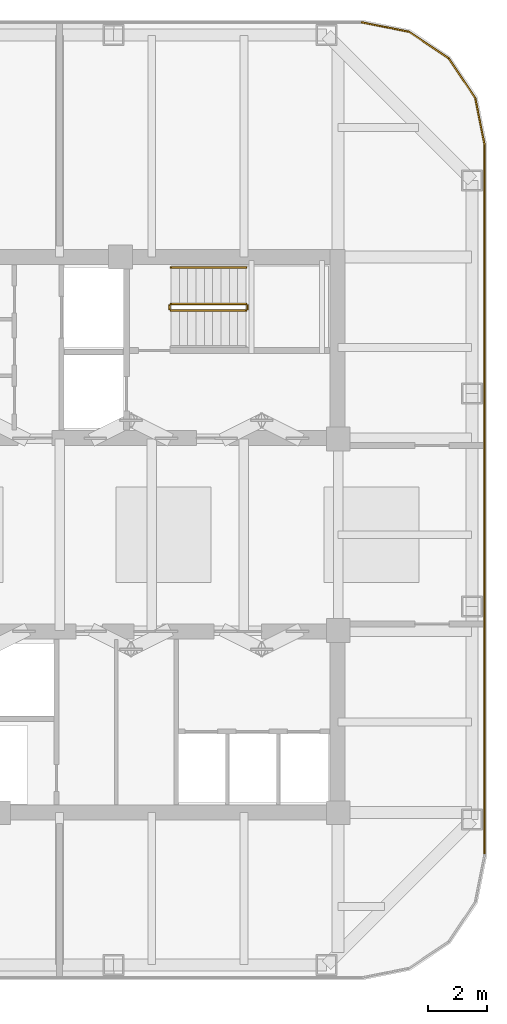
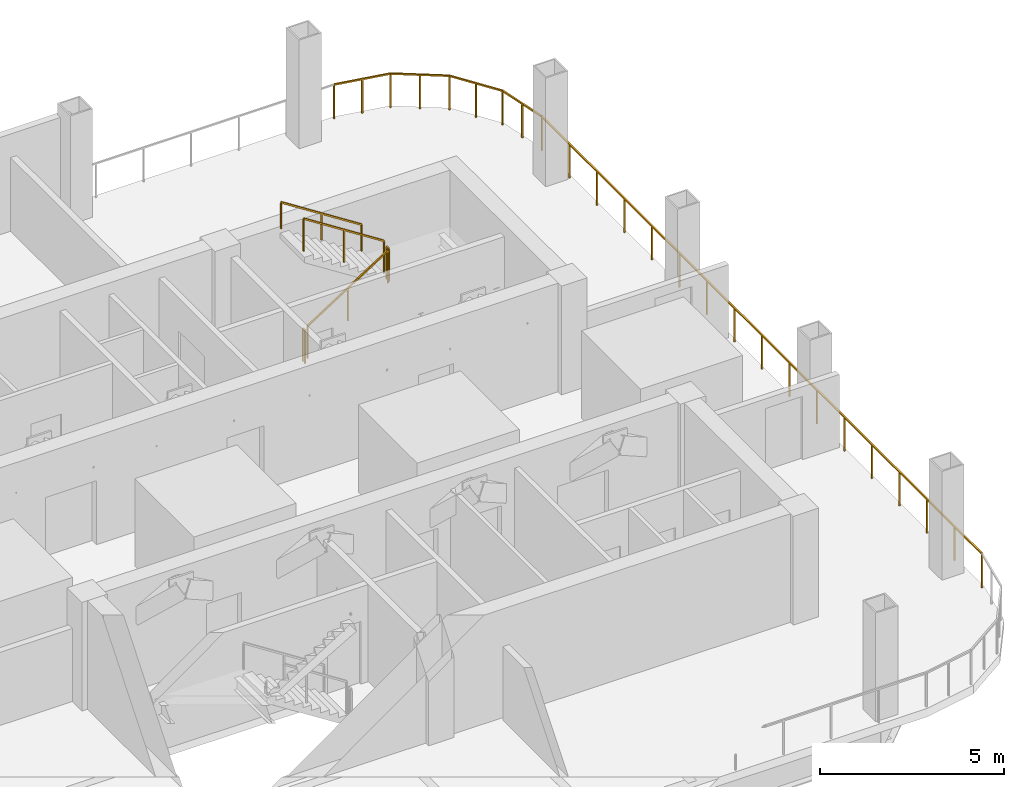
# One storey, part 7 of 9: 10 railings.
"""IFC4 building model written with IfcOpenShell, lengths in metres."""

from ifc_helpers import new_model, si_unit, direction, frame, origin, origin_2d, place, context, subcontext, project, spatial, rectangle, extrude, material, type_object, element, save


model = new_model("IFC4")

# Units and contexts
model_context = context("Model", 3, precision=1e-05, world=origin(), true_north=direction((0.0, 1.0)))
body_context = subcontext(model_context, "Body", "Model", "MODEL_VIEW")
ifc_project = project(units=[si_unit("LENGTHUNIT", "METRE"), si_unit("AREAUNIT", "SQUARE_METRE"), si_unit("VOLUMEUNIT", "CUBIC_METRE"), si_unit("PLANEANGLEUNIT", "RADIAN"), si_unit("MASSUNIT", "GRAM", prefix="KILO")], contexts=[model_context])

# Site, building, storey
site_placement = place(None, origin())
site = spatial("IfcSite", under=ifc_project, at=site_placement, CompositionType="ELEMENT")
building_placement = place(site_placement, origin())
building = spatial("IfcBuilding", under=site, at=building_placement, Name="Qhalaya Broadcast Tower", CompositionType="ELEMENT")
storey_placement = place(building_placement, frame((0.0, 0.0, 191.550048828125)))
storey = spatial("IfcBuildingStorey", under=building, at=storey_placement, Name="L56", CompositionType="ELEMENT", Elevation=191.550048828125)

# Railings
ifc_material = material(Name="Powder-Coated Galvanised Steel", Category="steel")
railing_type_1 = type_object("IfcRailingType", Name="Stair Wall Handrail 900", PredefinedType="HANDRAIL", material=ifc_material)
railing_1_placement = place(storey_placement, frame((6.27001953125, 9.590087890625, 1.97998046875)))
element("IfcRailing", 1, at=railing_1_placement, inside=storey, type_object=railing_type_1, Name="L56 ST-1 Stair Handrail 2", PredefinedType="HANDRAIL", context=body_context, shape_type="SweptSolid", body=[
    extrude(rectangle(XDim=0.048095703125, YDim=0.048095703125, at=origin_2d()), frame((0.0, 0.0, 0.8759765625), z_axis=(-0.841199657755, 0.0, 0.540724639528), x_axis=(0.0, -1.0, 0.0)), (0.0, 0.0, 1.0), 2.995849609375),
    extrude(rectangle(XDim=0.0419921875, YDim=0.0419921875, at=origin_2d()), origin(), (0.0, 0.0, 1.0), 0.849853515625),
    extrude(rectangle(XDim=0.0419921875, YDim=0.0419921875, at=origin_2d()), frame((-1.260009765625, 0.0, 0.81005859375)), (0.0, 0.0, 1.0), 0.849853515625),
    extrude(rectangle(XDim=0.0419921875, YDim=0.0419921875, at=origin_2d()), frame((-2.52001953125, 0.0, 1.619873046875)), (0.0, 0.0, 1.0), 0.849853515625),
])
railing_type_2 = type_object("IfcRailingType", Name="Stair Well & Landing Guardrail 1100", PredefinedType="GUARDRAIL", material=ifc_material)
railing_2_placement = place(storey_placement, frame((3.75, 8.14990234375, 0.179931640625)))
element("IfcRailing", 2, at=railing_2_placement, inside=storey, type_object=railing_type_2, Name="L56 ST-1 Stair Guard 1", PredefinedType="GUARDRAIL", context=body_context, shape_type="SweptSolid", body=[
    extrude(rectangle(XDim=0.048095703125, YDim=0.048095703125, at=origin_2d()), frame((0.0, 0.0, 1.076171875), z_axis=(0.841162588446, 0.0, 0.540782303519), x_axis=(0.0, 1.0, 0.0)), (0.0, 0.0, 1.0), 2.995849609375),
    extrude(rectangle(XDim=0.0419921875, YDim=0.0419921875, at=origin_2d()), origin(), (0.0, 0.0, 1.0), 1.050048828125),
    extrude(rectangle(XDim=0.0419921875, YDim=0.0419921875, at=origin_2d()), frame((1.260009765625, 0.0, 0.81005859375)), (0.0, 0.0, 1.0), 1.050048828125),
    extrude(rectangle(XDim=0.0419921875, YDim=0.0419921875, at=origin_2d()), frame((2.52001953125, 0.0, 1.6201171875)), (0.0, 0.0, 1.0), 1.050048828125),
])
railing_3_placement = place(storey_placement, frame((6.320068359375, 8.199951171875, 1.800048828125)))
element("IfcRailing", 3, at=railing_3_placement, inside=storey, type_object=railing_type_2, Name="L56 ST-1 Stair Guard 2", PredefinedType="GUARDRAIL", context=body_context, shape_type="SweptSolid", body=[
    extrude(rectangle(XDim=0.048095703125, YDim=0.048095703125, at=origin_2d()), frame((0.0, 0.0, 1.076171875), z_axis=(0.0, 1.0, 0.0), x_axis=(-1.0, 0.0, 0.0)), (0.0, 0.0, 1.0), 0.1201171875),
    extrude(rectangle(XDim=0.0419921875, YDim=0.0419921875, at=origin_2d()), origin(), (0.0, 0.0, 1.0), 1.050048828125),
    extrude(rectangle(XDim=0.0419921875, YDim=0.0419921875, at=origin_2d()), frame((0.0, 0.1201171875, 0.0)), (0.0, 0.0, 1.0), 1.050048828125),
])
railing_4_placement = place(storey_placement, frame((6.27001953125, 8.3701171875, 1.97998046875)))
element("IfcRailing", 4, at=railing_4_placement, inside=storey, type_object=railing_type_2, Name="L56 ST-1 Stair Guard 3", PredefinedType="GUARDRAIL", context=body_context, shape_type="SweptSolid", body=[
    extrude(rectangle(XDim=0.048095703125, YDim=0.048095703125, at=origin_2d()), frame((0.0, 0.0, 1.076171875), z_axis=(-0.841199657755, 0.0, 0.540724639528), x_axis=(0.0, -1.0, 0.0)), (0.0, 0.0, 1.0), 2.995849609375),
    extrude(rectangle(XDim=0.0419921875, YDim=0.0419921875, at=origin_2d()), origin(), (0.0, 0.0, 1.0), 1.050048828125),
    extrude(rectangle(XDim=0.0419921875, YDim=0.0419921875, at=origin_2d()), frame((-1.260009765625, 0.0, 0.81005859375)), (0.0, 0.0, 1.0), 1.050048828125),
    extrude(rectangle(XDim=0.0419921875, YDim=0.0419921875, at=origin_2d()), frame((-2.52001953125, 0.0, 1.619873046875)), (0.0, 0.0, 1.0), 1.050048828125),
])
railing_5_placement = place(storey_placement, frame((3.699951171875, 8.199951171875, 0.0)))
element("IfcRailing", 5, at=railing_5_placement, inside=storey, type_object=railing_type_2, Name="L56 ST-1 Stair Guard 4", PredefinedType="GUARDRAIL", context=body_context, shape_type="SweptSolid", body=[
    extrude(rectangle(XDim=0.048095703125, YDim=0.048095703125, at=origin_2d()), frame((0.0, 0.0, 1.076171875), z_axis=(0.0, 1.0, 0.0), x_axis=(-1.0, 0.0, 0.0)), (0.0, 0.0, 1.0), 0.1201171875),
    extrude(rectangle(XDim=0.0419921875, YDim=0.0419921875, at=origin_2d()), origin(), (0.0, 0.0, 1.0), 1.050048828125),
    extrude(rectangle(XDim=0.0419921875, YDim=0.0419921875, at=origin_2d()), frame((0.0, 0.1201171875, 0.0)), (0.0, 0.0, 1.0), 1.050048828125),
])
railing_type_3 = type_object("IfcRailingType", Name="Terrace, Sky-Pool & Lookout Glass Balustrade 1150", PredefinedType="BALUSTRADE", material=ifc_material)
railing_6_placement = place(storey_placement, frame((10.172119140625, 17.840087890625, 0.0)))
element("IfcRailing", 6, at=railing_6_placement, inside=storey, type_object=railing_type_3, Name="L56 Wind Slot Edge Guard 12", PredefinedType="BALUSTRADE", context=body_context, shape_type="SweptSolid", body=[
    extrude(rectangle(XDim=0.048095703125, YDim=0.048095703125, at=origin_2d()), frame((0.0, 0.0, 1.1259765625), z_axis=(0.980772072342, -0.195156711682, 0.0), x_axis=(0.195156711682, 0.980772072342, 0.0)), (0.0, 0.0, 1.0), 1.614990234375),
    extrude(rectangle(XDim=0.0419921875, YDim=0.0419921875, at=origin_2d()), origin(), (0.0, 0.0, 1.0), 1.099853515625),
    extrude(rectangle(XDim=0.0419921875, YDim=0.0419921875, at=origin_2d()), frame((0.7919921875, -0.15771484375, 0.0)), (0.0, 0.0, 1.0), 1.099853515625),
    extrude(rectangle(XDim=0.0419921875, YDim=0.0419921875, at=origin_2d()), frame((1.583984375, -0.315185546875, 0.0)), (0.0, 0.0, 1.0), 1.099853515625),
])
railing_7_placement = place(storey_placement, frame((11.756103515625, 17.52490234375, 0.0)))
element("IfcRailing", 7, at=railing_7_placement, inside=storey, type_object=railing_type_3, Name="L56 Wind Slot Edge Guard 13", PredefinedType="BALUSTRADE", context=body_context, shape_type="SweptSolid", body=[
    extrude(rectangle(XDim=0.048095703125, YDim=0.048095703125, at=origin_2d()), frame((0.0, 0.0, 1.1259765625), z_axis=(0.831418618142, -0.555646543594, 0.0), x_axis=(0.555646543594, 0.831418618142, 0.0)), (0.0, 0.0, 1.0), 1.60693359375),
    extrude(rectangle(XDim=0.0419921875, YDim=0.0419921875, at=origin_2d()), origin(), (0.0, 0.0, 1.0), 1.099853515625),
    extrude(rectangle(XDim=0.0419921875, YDim=0.0419921875, at=origin_2d()), frame((0.66796875, -0.4462890625, 0.0)), (0.0, 0.0, 1.0), 1.099853515625),
    extrude(rectangle(XDim=0.0419921875, YDim=0.0419921875, at=origin_2d()), frame((1.3359375, -0.892822265625, 0.0)), (0.0, 0.0, 1.0), 1.099853515625),
])
railing_8_placement = place(storey_placement, frame((13.092041015625, 16.632080078125, 0.0)))
element("IfcRailing", 8, at=railing_8_placement, inside=storey, type_object=railing_type_3, Name="L56 Wind Slot Edge Guard 14", PredefinedType="BALUSTRADE", context=body_context, shape_type="SweptSolid", body=[
    extrude(rectangle(XDim=0.048095703125, YDim=0.048095703125, at=origin_2d()), frame((0.0, 0.0, 1.1259765625), z_axis=(0.555646543594, -0.831418618142, 0.0), x_axis=(0.831418618142, 0.555646543594, 0.0)), (0.0, 0.0, 1.0), 1.60693359375),
    extrude(rectangle(XDim=0.0419921875, YDim=0.0419921875, at=origin_2d()), origin(), (0.0, 0.0, 1.0), 1.099853515625),
    extrude(rectangle(XDim=0.0419921875, YDim=0.0419921875, at=origin_2d()), frame((0.4462890625, -0.66796875, 0.0)), (0.0, 0.0, 1.0), 1.099853515625),
    extrude(rectangle(XDim=0.0419921875, YDim=0.0419921875, at=origin_2d()), frame((0.892822265625, -1.3359375, 0.0)), (0.0, 0.0, 1.0), 1.099853515625),
])
railing_9_placement = place(storey_placement, frame((13.98486328125, 15.296142578125, 0.0)))
element("IfcRailing", 9, at=railing_9_placement, inside=storey, type_object=railing_type_3, Name="L56 Wind Slot Edge Guard 15", PredefinedType="BALUSTRADE", context=body_context, shape_type="SweptSolid", body=[
    extrude(rectangle(XDim=0.048095703125, YDim=0.048095703125, at=origin_2d()), frame((0.0, 0.0, 1.1259765625), z_axis=(0.195156711682, -0.980772072342, 0.0), x_axis=(0.980772072342, 0.195156711682, 0.0)), (0.0, 0.0, 1.0), 1.614990234375),
    extrude(rectangle(XDim=0.0419921875, YDim=0.0419921875, at=origin_2d()), origin(), (0.0, 0.0, 1.0), 1.099853515625),
    extrude(rectangle(XDim=0.0419921875, YDim=0.0419921875, at=origin_2d()), frame((0.15771484375, -0.7919921875, 0.0)), (0.0, 0.0, 1.0), 1.099853515625),
    extrude(rectangle(XDim=0.0419921875, YDim=0.0419921875, at=origin_2d()), frame((0.315185546875, -1.583984375, 0.0)), (0.0, 0.0, 1.0), 1.099853515625),
])
railing_10_placement = place(storey_placement, frame((14.300048828125, 13.712158203125, 0.0)))
element("IfcRailing", 10, at=railing_10_placement, inside=storey, type_object=railing_type_3, Name="L56 Wind Slot Edge Guard 16", PredefinedType="BALUSTRADE", context=body_context, shape_type="SweptSolid", body=[
    extrude(rectangle(XDim=0.048095703125, YDim=0.048095703125, at=origin_2d()), frame((0.0, 0.0, 1.1259765625), z_axis=(0.0, -1.0, 0.0), x_axis=(1.0, 0.0, 0.0)), (0.0, 0.0, 1.0), 23.88427734375),
    extrude(rectangle(XDim=0.0419921875, YDim=0.0419921875, at=origin_2d()), origin(), (0.0, 0.0, 1.0), 1.099853515625),
    extrude(rectangle(XDim=0.0419921875, YDim=0.0419921875, at=origin_2d()), frame((0.0, -1.49267578125, 0.0)), (0.0, 0.0, 1.0), 1.099853515625),
    extrude(rectangle(XDim=0.0419921875, YDim=0.0419921875, at=origin_2d()), frame((0.0, -2.985595703125, 0.0)), (0.0, 0.0, 1.0), 1.099853515625),
    extrude(rectangle(XDim=0.0419921875, YDim=0.0419921875, at=origin_2d()), frame((0.0, -4.478271484375, 0.0)), (0.0, 0.0, 1.0), 1.099853515625),
    extrude(rectangle(XDim=0.0419921875, YDim=0.0419921875, at=origin_2d()), frame((0.0, -5.97119140625, 0.0)), (0.0, 0.0, 1.0), 1.099853515625),
    extrude(rectangle(XDim=0.0419921875, YDim=0.0419921875, at=origin_2d()), frame((0.0, -7.4638671875, 0.0)), (0.0, 0.0, 1.0), 1.099853515625),
    extrude(rectangle(XDim=0.0419921875, YDim=0.0419921875, at=origin_2d()), frame((0.0, -8.95654296875, 0.0)), (0.0, 0.0, 1.0), 1.099853515625),
    extrude(rectangle(XDim=0.0419921875, YDim=0.0419921875, at=origin_2d()), frame((0.0, -10.449462890625, 0.0)), (0.0, 0.0, 1.0), 1.099853515625),
    extrude(rectangle(XDim=0.0419921875, YDim=0.0419921875, at=origin_2d()), frame((0.0, -11.942138671875, 0.0)), (0.0, 0.0, 1.0), 1.099853515625),
    extrude(rectangle(XDim=0.0419921875, YDim=0.0419921875, at=origin_2d()), frame((0.0, -13.434814453125, 0.0)), (0.0, 0.0, 1.0), 1.099853515625),
    extrude(rectangle(XDim=0.0419921875, YDim=0.0419921875, at=origin_2d()), frame((0.0, -14.927734375, 0.0)), (0.0, 0.0, 1.0), 1.099853515625),
    extrude(rectangle(XDim=0.0419921875, YDim=0.0419921875, at=origin_2d()), frame((0.0, -16.42041015625, 0.0)), (0.0, 0.0, 1.0), 1.099853515625),
    extrude(rectangle(XDim=0.0419921875, YDim=0.0419921875, at=origin_2d()), frame((0.0, -17.9130859375, 0.0)), (0.0, 0.0, 1.0), 1.099853515625),
    extrude(rectangle(XDim=0.0419921875, YDim=0.0419921875, at=origin_2d()), frame((0.0, -19.406005859375, 0.0)), (0.0, 0.0, 1.0), 1.099853515625),
    extrude(rectangle(XDim=0.0419921875, YDim=0.0419921875, at=origin_2d()), frame((0.0, -20.898681640625, 0.0)), (0.0, 0.0, 1.0), 1.099853515625),
    extrude(rectangle(XDim=0.0419921875, YDim=0.0419921875, at=origin_2d()), frame((0.0, -22.3916015625, 0.0)), (0.0, 0.0, 1.0), 1.099853515625),
    extrude(rectangle(XDim=0.0419921875, YDim=0.0419921875, at=origin_2d()), frame((0.0, -23.88427734375, 0.0)), (0.0, 0.0, 1.0), 1.099853515625),
])

save(model, "model.ifc")
